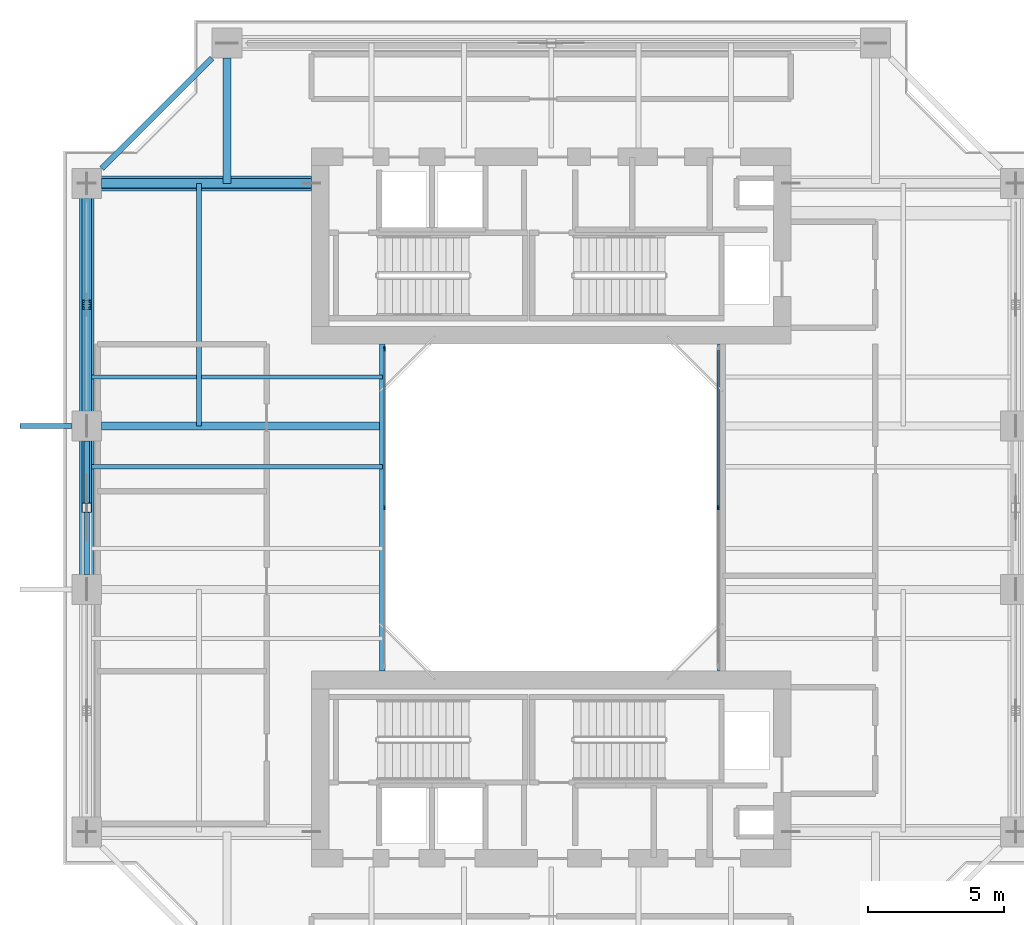
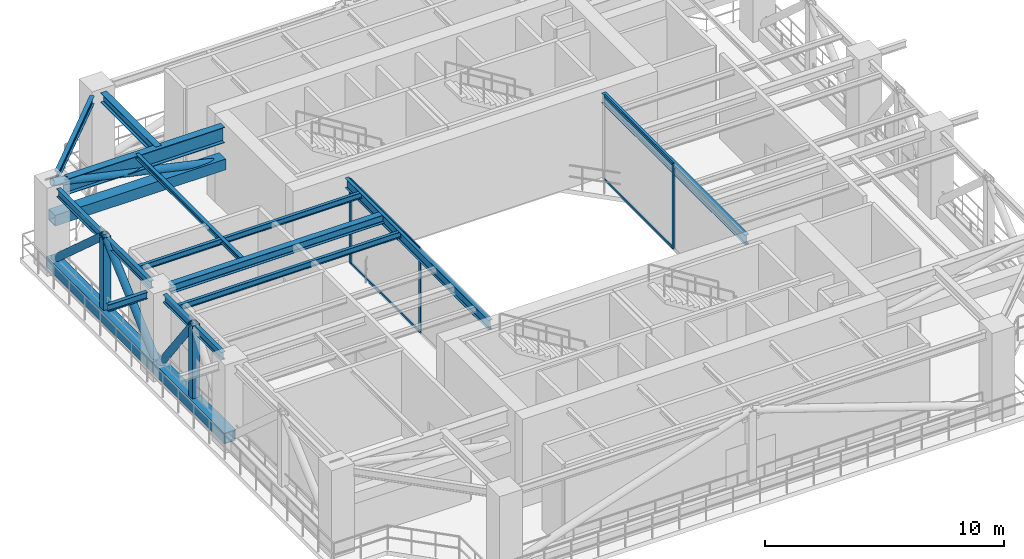
# One storey, part 3 of 11: 16 members, 12 beams, 2 elements without a shape of their own.
"""IFC4 building model written with IfcOpenShell, lengths in metres."""

from ifc_helpers import new_model, si_unit, direction, frame, origin, origin_2d, place, context, subcontext, project, spatial, rectangle, hollow_rectangle, hollow_circle, i_section, extrude, source, transform, mapped, material, layer, layer_set, material_profile, profile_set, type_object, element, aggregate, save


model = new_model("IFC4")

# Units and contexts
model_context = context("Model", 3, precision=1e-05, world=origin(), true_north=direction((0.0, 1.0)))
body_context = subcontext(model_context, "Body", "Model", "MODEL_VIEW")
ifc_project = project(units=[si_unit("LENGTHUNIT", "METRE"), si_unit("AREAUNIT", "SQUARE_METRE"), si_unit("VOLUMEUNIT", "CUBIC_METRE"), si_unit("PLANEANGLEUNIT", "RADIAN"), si_unit("MASSUNIT", "GRAM", prefix="KILO"), si_unit("THERMODYNAMICTEMPERATUREUNIT", "KELVIN"), si_unit("POWERUNIT", "WATT")], contexts=[model_context])

# Site, building, storey
site_placement = place(None, origin())
site = spatial("IfcSite", under=ifc_project, at=site_placement, CompositionType="ELEMENT")
building_placement = place(site_placement, origin())
building = spatial("IfcBuilding", under=site, at=building_placement, Name="Qiaomeng Ring Towers", CompositionType="ELEMENT")
storey_placement = place(building_placement, frame((0.0, 0.0, 139.25)))
storey = spatial("IfcBuildingStorey", under=building, at=storey_placement, Name="L40", CompositionType="ELEMENT", Elevation=139.25)

# Beams
ifc_material_1 = material(Name="Steel Q355B", Category="steel")
ifc_material_profile_1 = material_profile(ifc_material_1, i_section(OverallWidth=0.199951171875, OverallDepth=0.5, WebThickness=0.010009765625, FlangeThickness=0.01611328125, FilletRadius=0.02001953125, at=origin_2d()), Name="HN 500x200x10x16")
ifc_profile_set_1 = profile_set([ifc_material_profile_1], Name="Steel Q355B")
beam_type_1 = type_object("IfcBeamType", Name="STR-BM-HN500", PredefinedType="BEAM", material=ifc_profile_set_1)
shared_shape_1 = source(origin(), body_context, "Body", "SweptSolid", [
    extrude(i_section(OverallWidth=0.199951171875, OverallDepth=0.5, WebThickness=0.010009765625, FlangeThickness=0.01611328125, FilletRadius=0.02001953125, at=origin_2d()), origin(), (0.0, 0.0, 1.0), 12.0),
])
for number, where, z_axis, x_axis, name in (
    (1, (12.800048828125, 17.0, 4.070068359375), (0.0, 1.0, 0.0), (-1.0, 0.0, 0.0), "L40 beam STR-BM-L40-WELL-W"),
    (2, (25.199951171875, 17.0, 4.070068359375), (0.0, 1.0, 0.0), (-1.0, 0.0, 0.0), "L40 beam STR-BM-L40-WELL-E"),
):
    element("IfcBeam", number, at=place(storey_placement, frame(where, z_axis=z_axis, x_axis=x_axis)), inside=storey, type_object=beam_type_1, Name=name, PredefinedType="BEAM", context=body_context, shape_type="MappedRepresentation", body=[
        mapped(shared_shape_1, transform((0.0, 0.0, 0.0), x_axis=(1.0, 0.0, 0.0), y_axis=(0.0, 1.0, 0.0), z_axis=(0.0, 0.0, 1.0), scale=1.0)),
    ])

# Members
ifc_material_2 = material(Name="Steel Q390GJC", Category="steel")
ifc_material_profile_2 = material_profile(ifc_material_2, hollow_rectangle(XDim=0.35009765625, YDim=0.35009765625, WallThickness=0.02001953125, at=origin_2d()), Name="SHS 350x350x20")
ifc_profile_set_2 = profile_set([ifc_material_profile_2], Name="Steel Q390GJC")
member_type_1 = type_object("IfcMemberType", Name="STR-MB-POST-350", PredefinedType="POST", material=ifc_profile_set_2)
shared_shape_2 = source(origin(), body_context, "Body", "SweptSolid", [
    extrude(hollow_rectangle(XDim=0.35009765625, YDim=0.35009765625, WallThickness=0.02001953125, at=origin_2d()), origin(), (0.0, 0.0, 1.0), 4.0),
])
for number, where, z_axis, x_axis, name in (
    (3, (1.949951171875, 30.449951171875, 0.320068359375), (0.0, 0.0, 1.0), (1.0, 0.0, 0.0), "L40 Belt Truss Post W4-W3"),
    (4, (1.949951171875, 23.0, 0.320068359375), (0.0, 0.0, 1.0), (1.0, 0.0, 0.0), "L40 Belt Truss Post W3-W2"),
):
    element("IfcMember", number, at=place(storey_placement, frame(where, z_axis=z_axis, x_axis=x_axis)), inside=storey, type_object=member_type_1, Name=name, PredefinedType="POST", context=body_context, shape_type="MappedRepresentation", body=[
        mapped(shared_shape_2, transform((0.0, 0.0, 0.0), x_axis=(1.0, 0.0, 0.0), y_axis=(0.0, 1.0, 0.0), z_axis=(0.0, 0.0, 1.0), scale=1.0)),
    ])
ifc_material_profile_3 = material_profile(ifc_material_2, hollow_rectangle(XDim=0.550048828125, YDim=0.550048828125, WallThickness=0.031982421875, at=origin_2d()), Name="SHS 550x550x32")
ifc_profile_set_3 = profile_set([ifc_material_profile_3], Name="Steel Q390GJC")
member_type_2 = type_object("IfcMemberType", Name="STR-MB-CHORD-550", PredefinedType="CHORD", material=ifc_profile_set_3)
shared_shape_3 = source(origin(), body_context, "Body", "SweptSolid", [
    extrude(hollow_rectangle(XDim=0.550048828125, YDim=0.550048828125, WallThickness=0.031982421875, at=origin_2d()), origin(), (0.0, 0.0, 1.0), 6.0),
])
member_1_placement = place(storey_placement, frame((1.949951171875, 26.0, 0.320068359375), z_axis=(0.0, -1.0, 0.0), x_axis=(1.0, 0.0, 0.0)))
element("IfcMember", 5, at=member_1_placement, inside=storey, type_object=member_type_2, Name="L40 Belt Truss Bottom Chord W3-W2", PredefinedType="CHORD", context=body_context, shape_type="MappedRepresentation", body=[
    mapped(shared_shape_3, transform((0.0, 0.0, 0.0), x_axis=(1.0, 0.0, 0.0), y_axis=(0.0, 1.0, 0.0), z_axis=(0.0, 0.0, 1.0), scale=1.0)),
])

# Beams
ifc_material_profile_4 = material_profile(ifc_material_1, i_section(OverallWidth=0.199951171875, OverallDepth=0.39990234375, WebThickness=0.008056640625, FlangeThickness=0.012939453125, FilletRadius=0.01611328125, at=origin_2d()), Name="HN 400x200x8x13")
ifc_profile_set_4 = profile_set([ifc_material_profile_4], Name="Steel Q355B")
beam_type_2 = type_object("IfcBeamType", Name="STR-BM-HN400", PredefinedType="SPANDREL", material=ifc_profile_set_4)
shared_shape_4 = source(origin(), body_context, "Body", "SweptSolid", [
    extrude(i_section(OverallWidth=0.199951171875, OverallDepth=0.39990234375, WebThickness=0.008056640625, FlangeThickness=0.012939453125, FilletRadius=0.01611328125, at=origin_2d()), origin(), (0.0, 0.0, 1.0), 5.729736328125),
])
beam_1_placement = place(storey_placement, frame((6.55078125, 39.500732421875, 4.1201171875), z_axis=(-0.707106781187, -0.707106781187, 0.0), x_axis=(0.707106781187, -0.707106781187, 0.0)))
element("IfcBeam", 6, at=beam_1_placement, inside=storey, type_object=beam_type_2, Name="L40 beam STR-SP-L40-T1-N1-W4", PredefinedType="SPANDREL", context=body_context, shape_type="MappedRepresentation", body=[
    mapped(shared_shape_4, transform((0.0, 0.0, 0.0), x_axis=(1.0, 0.0, 0.0), y_axis=(0.0, 1.0, 0.0), z_axis=(0.0, 0.0, 1.0), scale=1.0)),
])
shared_shape_5 = source(origin(), body_context, "Body", "SweptSolid", [
    extrude(i_section(OverallWidth=0.199951171875, OverallDepth=0.39990234375, WebThickness=0.008056640625, FlangeThickness=0.012939453125, FilletRadius=0.01611328125, at=origin_2d()), origin(), (0.0, 0.0, 1.0), 7.802001953125),
])
beam_2_placement = place(storey_placement, frame((1.949951171875, 34.35107421875, 4.1201171875), z_axis=(0.0, -1.0, 0.0), x_axis=(1.0, 0.0, 0.0)))
element("IfcBeam", 7, at=beam_2_placement, inside=storey, type_object=beam_type_2, Name="L40 beam STR-SP-L40-T1-W4-W3", PredefinedType="SPANDREL", context=body_context, shape_type="MappedRepresentation", body=[
    mapped(shared_shape_5, transform((0.0, 0.0, 0.0), x_axis=(1.0, 0.0, 0.0), y_axis=(0.0, 1.0, 0.0), z_axis=(0.0, 0.0, 1.0), scale=1.0)),
])
shared_shape_6 = source(origin(), body_context, "Body", "SweptSolid", [
    extrude(i_section(OverallWidth=0.199951171875, OverallDepth=0.39990234375, WebThickness=0.008056640625, FlangeThickness=0.012939453125, FilletRadius=0.01611328125, at=origin_2d()), origin(), (0.0, 0.0, 1.0), 4.90185546875),
])
beam_3_placement = place(storey_placement, frame((1.949951171875, 25.450927734375, 4.1201171875), z_axis=(0.0, -1.0, 0.0), x_axis=(1.0, 0.0, 0.0)))
element("IfcBeam", 8, at=beam_3_placement, inside=storey, type_object=beam_type_2, Name="L40 beam STR-SP-L40-T1-W3-W2", PredefinedType="SPANDREL", context=body_context, shape_type="MappedRepresentation", body=[
    mapped(shared_shape_6, transform((0.0, 0.0, 0.0), x_axis=(1.0, 0.0, 0.0), y_axis=(0.0, 1.0, 0.0), z_axis=(0.0, 0.0, 1.0), scale=1.0)),
])
ifc_material_profile_5 = material_profile(ifc_material_2, i_section(OverallWidth=0.35009765625, OverallDepth=0.800048828125, WebThickness=0.01611328125, FlangeThickness=0.028076171875, at=origin_2d()), Name="WH 800x350x16x28")
ifc_profile_set_5 = profile_set([ifc_material_profile_5], Name="Steel Q390GJC")
beam_type_3 = type_object("IfcBeamType", Name="STR-BM-WH800", PredefinedType="BEAM", material=ifc_profile_set_5)
shared_shape_7 = source(origin(), body_context, "Body", "SweptSolid", [
    extrude(i_section(OverallWidth=0.35009765625, OverallDepth=0.800048828125, WebThickness=0.01611328125, FlangeThickness=0.028076171875, at=origin_2d()), origin(), (0.0, 0.0, 1.0), 7.700927734375),
])
beam_4_placement = place(storey_placement, frame((2.4990234375, 34.89990234375, 3.919921875), z_axis=(1.0, 0.0, 0.0), x_axis=(0.0, 1.0, 0.0)))
element("IfcBeam", 9, at=beam_4_placement, inside=storey, type_object=beam_type_3, Name="L40 beam STR-BM-L40-T1-RAD-W4", PredefinedType="BEAM", context=body_context, shape_type="MappedRepresentation", body=[
    mapped(shared_shape_7, transform((0.0, 0.0, 0.0), x_axis=(1.0, 0.0, 0.0), y_axis=(0.0, 1.0, 0.0), z_axis=(0.0, 0.0, 1.0), scale=1.0)),
])
ifc_material_profile_6 = material_profile(ifc_material_1, i_section(OverallWidth=0.300048828125, OverallDepth=0.488037109375, WebThickness=0.010986328125, FlangeThickness=0.01806640625, FilletRadius=0.02587890625, at=origin_2d()), Name="HM 488x300x11x18")
ifc_profile_set_6 = profile_set([ifc_material_profile_6], Name="Steel Q355B")
beam_type_4 = type_object("IfcBeamType", Name="STR-BM-HM488", PredefinedType="BEAM", material=ifc_profile_set_6)
shared_shape_8 = source(origin(), body_context, "Body", "SweptSolid", [
    extrude(i_section(OverallWidth=0.300048828125, OverallDepth=0.488037109375, WebThickness=0.010986328125, FlangeThickness=0.01806640625, FilletRadius=0.02587890625, at=origin_2d()), origin(), (0.0, 0.0, 1.0), 4.60107421875),
])
beam_5_placement = place(storey_placement, frame((7.10009765625, 39.5009765625, 4.075927734375), z_axis=(0.0, -1.0, 0.0), x_axis=(1.0, 0.0, 0.0)))
element("IfcBeam", 10, at=beam_5_placement, inside=storey, type_object=beam_type_4, Name="L40 beam STR-BM-L40-T1-RAD-N1", PredefinedType="BEAM", context=body_context, shape_type="MappedRepresentation", body=[
    mapped(shared_shape_8, transform((0.0, 0.0, 0.0), x_axis=(1.0, 0.0, 0.0), y_axis=(0.0, 1.0, 0.0), z_axis=(0.0, 0.0, 1.0), scale=1.0)),
])
ifc_material_profile_7 = material_profile(ifc_material_1, i_section(OverallWidth=0.300048828125, OverallDepth=0.43994140625, WebThickness=0.010986328125, FlangeThickness=0.01806640625, FilletRadius=0.02392578125, at=origin_2d()), Name="HM 440x300x11x18")
ifc_profile_set_7 = profile_set([ifc_material_profile_7], Name="Steel Q355B")
beam_type_5 = type_object("IfcBeamType", Name="STR-BM-HM440", PredefinedType="BEAM", material=ifc_profile_set_7)
shared_shape_9 = source(origin(), body_context, "Body", "SweptSolid", [
    extrude(i_section(OverallWidth=0.300048828125, OverallDepth=0.43994140625, WebThickness=0.010986328125, FlangeThickness=0.01806640625, FilletRadius=0.02392578125, at=origin_2d()), origin(), (0.0, 0.0, 1.0), 10.301025390625),
])
beam_6_placement = place(storey_placement, frame((2.4990234375, 26.0, 4.10009765625), z_axis=(1.0, 0.0, 0.0), x_axis=(0.0, 1.0, 0.0)))
element("IfcBeam", 11, at=beam_6_placement, inside=storey, type_object=beam_type_5, Name="L40 beam STR-BM-L40-T1-RAD-W3", PredefinedType="BEAM", context=body_context, shape_type="MappedRepresentation", body=[
    mapped(shared_shape_9, transform((0.0, 0.0, 0.0), x_axis=(1.0, 0.0, 0.0), y_axis=(0.0, 1.0, 0.0), z_axis=(0.0, 0.0, 1.0), scale=1.0)),
])
ifc_material_profile_8 = material_profile(ifc_material_1, i_section(OverallWidth=0.14990234375, OverallDepth=0.300048828125, WebThickness=0.006591796875, FlangeThickness=0.009033203125, FilletRadius=0.012939453125, at=origin_2d()), Name="HN 300x150x6.5x9")
ifc_profile_set_8 = profile_set([ifc_material_profile_8], Name="Steel Q355B")
beam_type_6 = type_object("IfcBeamType", Name="STR-BM-HN300", PredefinedType="JOIST", material=ifc_profile_set_8)
shared_shape_10 = source(origin(), body_context, "Body", "SweptSolid", [
    extrude(i_section(OverallWidth=0.14990234375, OverallDepth=0.300048828125, WebThickness=0.006591796875, FlangeThickness=0.009033203125, FilletRadius=0.012939453125, at=origin_2d()), origin(), (0.0, 0.0, 1.0), 10.85009765625),
])
for number, where, z_axis, x_axis, name in (
    (12, (1.949951171875, 24.5, 4.169921875), (1.0, 0.0, 0.0), (0.0, 1.0, 0.0), "L40 beam STR-JST-L40-T1W-3"),
    (13, (1.949951171875, 27.800048828125, 4.169921875), (1.0, 0.0, 0.0), (0.0, 1.0, 0.0), "L40 beam STR-JST-L40-T1W-4"),
):
    element("IfcBeam", number, at=place(storey_placement, frame(where, z_axis=z_axis, x_axis=x_axis)), inside=storey, type_object=beam_type_6, Name=name, PredefinedType="JOIST", context=body_context, shape_type="MappedRepresentation", body=[
        mapped(shared_shape_10, transform((0.0, 0.0, 0.0), x_axis=(1.0, 0.0, 0.0), y_axis=(0.0, 1.0, 0.0), z_axis=(0.0, 0.0, 1.0), scale=1.0)),
    ])
ifc_material_profile_9 = material_profile(ifc_material_1, i_section(OverallWidth=0.175048828125, OverallDepth=0.243896484375, WebThickness=0.007080078125, FlangeThickness=0.010986328125, FilletRadius=0.01611328125, at=origin_2d()), Name="HM 244x175x7x11")
ifc_profile_set_9 = profile_set([ifc_material_profile_9], Name="Steel Q355B")
beam_type_7 = type_object("IfcBeamType", Name="STR-BM-HM244", PredefinedType="JOIST", material=ifc_profile_set_9)
shared_shape_11 = source(origin(), body_context, "Body", "SweptSolid", [
    extrude(i_section(OverallWidth=0.175048828125, OverallDepth=0.243896484375, WebThickness=0.007080078125, FlangeThickness=0.010986328125, FilletRadius=0.01611328125, at=origin_2d()), origin(), (0.0, 0.0, 1.0), 8.89990234375),
])
beam_7_placement = place(storey_placement, frame((6.074951171875, 26.0, 4.197998046875), z_axis=(0.0, 1.0, 0.0), x_axis=(-1.0, 0.0, 0.0)))
element("IfcBeam", 14, at=beam_7_placement, inside=storey, type_object=beam_type_7, Name="L40 beam STR-JST-L40-T1C-WN", PredefinedType="JOIST", context=body_context, shape_type="MappedRepresentation", body=[
    mapped(shared_shape_11, transform((0.0, 0.0, 0.0), x_axis=(1.0, 0.0, 0.0), y_axis=(0.0, 1.0, 0.0), z_axis=(0.0, 0.0, 1.0), scale=1.0)),
])
ifc_material_profile_10 = material_profile(ifc_material_1, i_section(OverallWidth=0.175048828125, OverallDepth=0.35009765625, WebThickness=0.007080078125, FlangeThickness=0.010986328125, FilletRadius=0.013916015625, at=origin_2d()), Name="HN 350x175x7x11")
ifc_profile_set_10 = profile_set([ifc_material_profile_10], Name="Steel Q355B")
beam_type_8 = type_object("IfcBeamType", Name="STR-BM-HN350", PredefinedType="JOIST", material=ifc_profile_set_10)
shared_shape_12 = source(origin(), body_context, "Body", "SweptSolid", [
    extrude(i_section(OverallWidth=0.175048828125, OverallDepth=0.35009765625, WebThickness=0.007080078125, FlangeThickness=0.010986328125, FilletRadius=0.013916015625, at=origin_2d()), origin(), (0.0, 0.0, 1.0), 1.90087890625),
])
beam_8_placement = place(storey_placement, frame((-0.5, 26.0, 4.14501953125), z_axis=(1.0, 0.0, 0.0), x_axis=(0.0, 1.0, 0.0)))
element("IfcBeam", 15, at=beam_8_placement, inside=storey, type_object=beam_type_8, Name="L40 beam STR-BALBM-L40-W3", PredefinedType="JOIST", context=body_context, shape_type="MappedRepresentation", body=[
    mapped(shared_shape_12, transform((0.0, 0.0, 0.0), x_axis=(1.0, 0.0, 0.0), y_axis=(0.0, 1.0, 0.0), z_axis=(0.0, 0.0, 1.0), scale=1.0)),
])

# Members
shared_shape_13 = source(origin(), body_context, "Body", "SweptSolid", [
    extrude(hollow_rectangle(XDim=0.550048828125, YDim=0.550048828125, WallThickness=0.031982421875, at=origin_2d()), origin(), (0.0, 0.0, 1.0), 8.89990234375),
])
member_2_placement = place(storey_placement, frame((1.949951171875, 34.89990234375, 0.320068359375), z_axis=(0.0, -1.0, 0.0), x_axis=(1.0, 0.0, 0.0)))
element("IfcMember", 16, at=member_2_placement, inside=storey, type_object=member_type_2, Name="L40 Belt Truss Bottom Chord W4-W3", PredefinedType="CHORD", context=body_context, shape_type="MappedRepresentation", body=[
    mapped(shared_shape_13, transform((0.0, 0.0, 0.0), x_axis=(1.0, 0.0, 0.0), y_axis=(0.0, 1.0, 0.0), z_axis=(0.0, 0.0, 1.0), scale=1.0)),
])
ifc_material_profile_11 = material_profile(ifc_material_2, hollow_circle(Radius=0.177978515625, WallThickness=0.02001953125, at=origin_2d()), Name="CHS 356x20")
ifc_profile_set_11 = profile_set([ifc_material_profile_11], Name="Steel Q390GJC")
member_type_3 = type_object("IfcMemberType", Name="STR-MB-BR-356", PredefinedType="BRACE", material=ifc_profile_set_11)
shared_shape_14 = source(origin(), body_context, "Body", "SweptSolid", [
    extrude(hollow_circle(Radius=0.177978515625, WallThickness=0.02001953125, at=origin_2d()), origin(), (0.0, 0.0, 1.0), 5.97021484375),
])
for number, where, z_axis, x_axis, name in (
    (17, (1.949951171875, 34.89990234375, 0.320068359375), (0.0, -0.745370712537, 0.666650208799), (1.0, 0.0, 0.0), "L40 Belt Truss Diagonal W4-M"),
    (18, (1.949951171875, 26.0, 0.320068359375), (0.0, 0.745370712537, 0.666650208799), (-1.0, 0.0, 0.0), "L40 Belt Truss Diagonal W3-M"),
):
    element("IfcMember", number, at=place(storey_placement, frame(where, z_axis=z_axis, x_axis=x_axis)), inside=storey, type_object=member_type_3, Name=name, PredefinedType="BRACE", context=body_context, shape_type="MappedRepresentation", body=[
        mapped(shared_shape_14, transform((0.0, 0.0, 0.0), x_axis=(1.0, 0.0, 0.0), y_axis=(0.0, 1.0, 0.0), z_axis=(0.0, 0.0, 1.0), scale=1.0)),
    ])
shared_shape_15 = source(origin(), body_context, "Body", "SweptSolid", [
    extrude(hollow_circle(Radius=0.177978515625, WallThickness=0.02001953125, at=origin_2d()), origin(), (0.0, 0.0, 1.0), 4.98388671875),
])
member_3_placement = place(storey_placement, frame((1.949951171875, 26.0, 0.320068359375), z_axis=(0.0, -0.601926302674, 0.798551642757), x_axis=(1.0, 0.0, 0.0)))
element("IfcMember", 19, at=member_3_placement, inside=storey, type_object=member_type_3, Name="L40 Belt Truss Diagonal W3-M", PredefinedType="BRACE", context=body_context, shape_type="MappedRepresentation", body=[
    mapped(shared_shape_15, transform((0.0, 0.0, 0.0), x_axis=(1.0, 0.0, 0.0), y_axis=(0.0, 1.0, 0.0), z_axis=(0.0, 0.0, 1.0), scale=1.0)),
])
shared_shape_16 = source(origin(), body_context, "Body", "SweptSolid", [
    extrude(hollow_rectangle(XDim=0.550048828125, YDim=0.550048828125, WallThickness=0.031982421875, at=origin_2d()), origin(), (0.0, 0.0, 1.0), 8.25),
])
member_4_placement = place(storey_placement, frame((10.199951171875, 34.89990234375, 2.47998046875), z_axis=(-1.0, 0.0, 0.0), x_axis=(0.0, -1.0, 0.0)))
element("IfcMember", 20, at=member_4_placement, inside=storey, type_object=member_type_2, Name="L40 Core Outrigger Truss Bottom Chord W4", PredefinedType="CHORD", context=body_context, shape_type="MappedRepresentation", body=[
    mapped(shared_shape_16, transform((0.0, 0.0, 0.0), x_axis=(1.0, 0.0, 0.0), y_axis=(0.0, 1.0, 0.0), z_axis=(0.0, 0.0, 1.0), scale=1.0)),
])
shared_shape_17 = source(origin(), body_context, "Body", "SweptSolid", [
    extrude(hollow_circle(Radius=0.177978515625, WallThickness=0.02001953125, at=origin_2d()), origin(), (0.0, 0.0, 1.0), 8.448486328125),
])
member_5_placement = place(storey_placement, frame((10.199951171875, 34.89990234375, 2.47998046875), z_axis=(-0.976518409555, 0.0, 0.215433970858), x_axis=(0.0, -1.0, 0.0)))
element("IfcMember", 21, at=member_5_placement, inside=storey, type_object=member_type_3, Name="L40 Core Outrigger Truss Diagonal W4", PredefinedType="BRACE", context=body_context, shape_type="MappedRepresentation", body=[
    mapped(shared_shape_17, transform((0.0, 0.0, 0.0), x_axis=(1.0, 0.0, 0.0), y_axis=(0.0, 1.0, 0.0), z_axis=(0.0, 0.0, 1.0), scale=1.0)),
])

# Curtain wall, members
ifc_material_3 = material(Name="Fluorocarbon dark-grey aluminium", Category="aluminium")
ifc_layer = layer(ifc_material_3, 0.139892578125, Name="Fluorocarbon dark-grey aluminium")
ifc_layer_set = layer_set([ifc_layer], Name="Fluorocarbon dark-grey aluminium")
curtain_wall_type = type_object("IfcCurtainWallType", Name="ARC-CW-4", PredefinedType="NOTDEFINED", material=ifc_layer_set)
curtain_wall_1_placement = place(storey_placement, origin())
curtain_wall_1 = element("IfcCurtainWall", 22, at=curtain_wall_1_placement, inside=storey, type_object=curtain_wall_type, Name="L40 Curtain Wall CW4", PredefinedType="NOTDEFINED")
ifc_material_profile_12 = material_profile(ifc_material_3, rectangle(XDim=0.06494140625, YDim=0.1298828125, at=origin_2d()), Name="ALU TRAN 65x130")
ifc_profile_set_12 = profile_set([ifc_material_profile_12], Name="Fluorocarbon dark-grey aluminium")
member_type_4 = type_object("IfcMemberType", Name="ARC-CWT-120", PredefinedType="USERDEFINED", material=ifc_profile_set_12)
shared_shape_18 = source(origin(), body_context, "Body", "SweptSolid", [
    extrude(rectangle(XDim=0.06494140625, YDim=0.1298828125, at=origin_2d()), origin(), (0.0, 0.0, 1.0), 5.75244140625),
])
member_6_placement = place(storey_placement, frame((12.8798828125, 23.032470703125, 0.032470703125), z_axis=(0.0, 1.0, 0.0), x_axis=(-1.0, 0.0, 0.0)))
member_6 = element("IfcMember", 23, at=member_6_placement, type_object=member_type_4, Name="CW4 transom 2.1", ObjectType="TRANSOM", PredefinedType="USERDEFINED", context=body_context, shape_type="MappedRepresentation", body=[
    mapped(shared_shape_18, transform((0.0, 0.0, 0.0), x_axis=(1.0, 0.0, 0.0), y_axis=(0.0, 1.0, 0.0), z_axis=(0.0, 0.0, 1.0), scale=1.0)),
])
member_7_placement = place(storey_placement, frame((12.8798828125, 23.032470703125, 4.28759765625), z_axis=(0.0, 1.0, 0.0), x_axis=(-1.0, 0.0, 0.0)))
member_7 = element("IfcMember", 24, at=member_7_placement, type_object=member_type_4, Name="CW4 transom 2.2", ObjectType="TRANSOM", PredefinedType="USERDEFINED", context=body_context, shape_type="MappedRepresentation", body=[
    mapped(shared_shape_18, transform((0.0, 0.0, 0.0), x_axis=(1.0, 0.0, 0.0), y_axis=(0.0, 1.0, 0.0), z_axis=(0.0, 0.0, 1.0), scale=1.0)),
])

curtain_wall_2_placement = place(storey_placement, origin())
curtain_wall_2 = element("IfcCurtainWall", 25, at=curtain_wall_2_placement, inside=storey, type_object=curtain_wall_type, Name="L40 Curtain Wall CW4", PredefinedType="NOTDEFINED")
member_8_placement = place(storey_placement, frame((25.1201171875, 23.032470703125, 0.032470703125), z_axis=(0.0, 1.0, 0.0), x_axis=(-1.0, 0.0, 0.0)))
member_8 = element("IfcMember", 26, at=member_8_placement, type_object=member_type_4, Name="CW4 transom 2.1", ObjectType="TRANSOM", PredefinedType="USERDEFINED", context=body_context, shape_type="MappedRepresentation", body=[
    mapped(shared_shape_18, transform((0.0, 0.0, 0.0), x_axis=(1.0, 0.0, 0.0), y_axis=(0.0, 1.0, 0.0), z_axis=(0.0, 0.0, 1.0), scale=1.0)),
])
member_9_placement = place(storey_placement, frame((25.1201171875, 23.032470703125, 4.28759765625), z_axis=(0.0, 1.0, 0.0), x_axis=(-1.0, 0.0, 0.0)))
member_9 = element("IfcMember", 27, at=member_9_placement, type_object=member_type_4, Name="CW4 transom 2.2", ObjectType="TRANSOM", PredefinedType="USERDEFINED", context=body_context, shape_type="MappedRepresentation", body=[
    mapped(shared_shape_18, transform((0.0, 0.0, 0.0), x_axis=(1.0, 0.0, 0.0), y_axis=(0.0, 1.0, 0.0), z_axis=(0.0, 0.0, 1.0), scale=1.0)),
])

# Member
ifc_material_profile_13 = material_profile(ifc_material_3, rectangle(XDim=0.06494140625, YDim=0.159912109375, at=origin_2d()), Name="ALU MULL 65x160")
ifc_profile_set_13 = profile_set([ifc_material_profile_13], Name="Fluorocarbon dark-grey aluminium")
member_type_5 = type_object("IfcMemberType", Name="ARC-CWM-140", PredefinedType="MULLION", material=ifc_profile_set_13)
shared_shape_19 = source(origin(), body_context, "Body", "SweptSolid", [
    extrude(rectangle(XDim=0.06494140625, YDim=0.159912109375, at=origin_2d()), origin(), (0.0, 0.0, 1.0), 4.320068359375),
])
member_10_placement = place(storey_placement, frame((12.8798828125, 23.0, 0.0), z_axis=(0.0, 0.0, 1.0), x_axis=(-1.0, 0.0, 0.0)))
member_10 = element("IfcMember", 28, at=member_10_placement, type_object=member_type_5, Name="CW4 mullion 2", PredefinedType="MULLION", context=body_context, shape_type="MappedRepresentation", body=[
    mapped(shared_shape_19, transform((0.0, 0.0, 0.0), x_axis=(1.0, 0.0, 0.0), y_axis=(0.0, 1.0, 0.0), z_axis=(0.0, 0.0, 1.0), scale=1.0)),
])

member_11_placement = place(storey_placement, frame((12.8798828125, 28.8173828125, 0.0), z_axis=(0.0, 0.0, 1.0), x_axis=(-1.0, 0.0, 0.0)))
member_11 = element("IfcMember", 29, at=member_11_placement, type_object=member_type_5, Name="CW4 mullion 3", PredefinedType="MULLION", context=body_context, shape_type="MappedRepresentation", body=[
    mapped(shared_shape_19, transform((0.0, 0.0, 0.0), x_axis=(1.0, 0.0, 0.0), y_axis=(0.0, 1.0, 0.0), z_axis=(0.0, 0.0, 1.0), scale=1.0)),
])

aggregate(curtain_wall_1, [member_10, member_11, member_6, member_7])

member_12_placement = place(storey_placement, frame((25.1201171875, 23.0, 0.0), z_axis=(0.0, 0.0, 1.0), x_axis=(-1.0, 0.0, 0.0)))
member_12 = element("IfcMember", 30, at=member_12_placement, type_object=member_type_5, Name="CW4 mullion 2", PredefinedType="MULLION", context=body_context, shape_type="MappedRepresentation", body=[
    mapped(shared_shape_19, transform((0.0, 0.0, 0.0), x_axis=(1.0, 0.0, 0.0), y_axis=(0.0, 1.0, 0.0), z_axis=(0.0, 0.0, 1.0), scale=1.0)),
])

aggregate(curtain_wall_2, [member_12, member_8, member_9])

save(model, "model.ifc")
